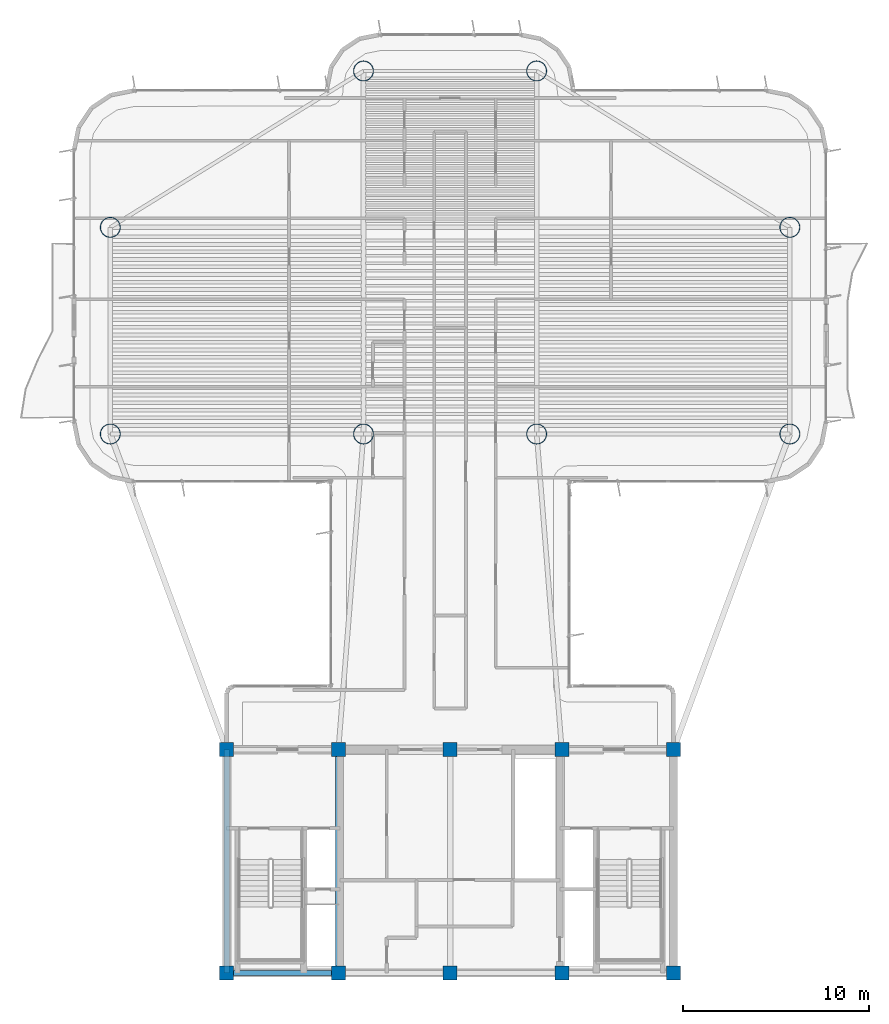
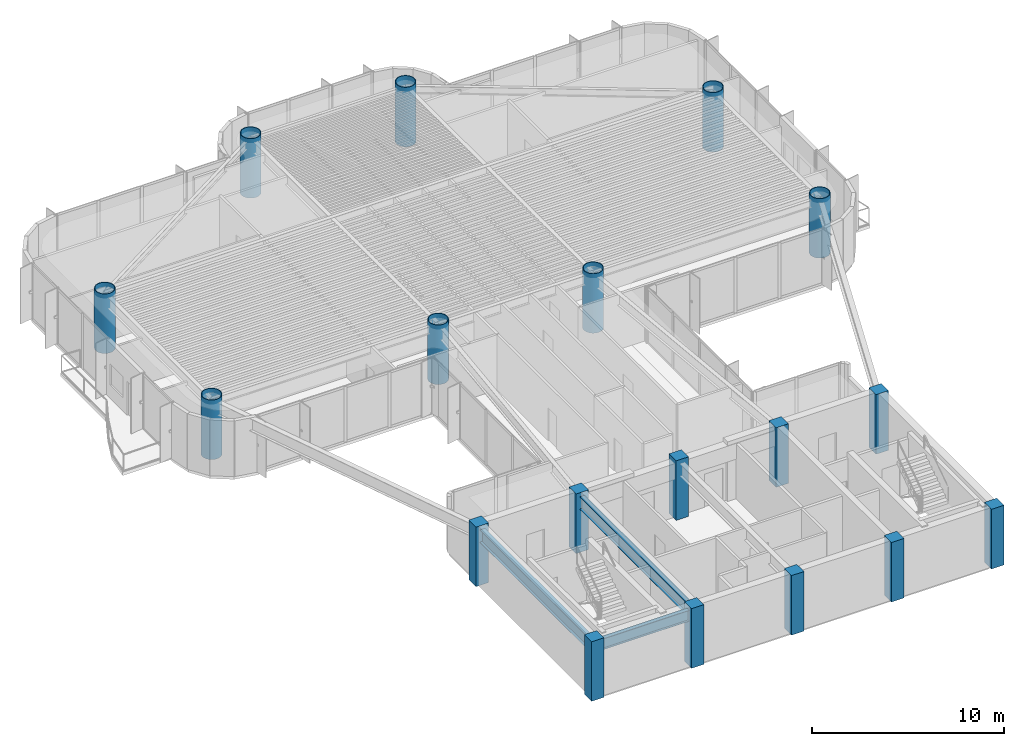
# One storey, part 1 of 14: 18 columns, 3 beams.
"""IFC4 building model written with IfcOpenShell, lengths in metres."""

from ifc_helpers import new_model, si_unit, direction, frame, origin, origin_2d, place, context, subcontext, project, spatial, rectangle, hollow_circle, i_section, extrude, source, transform, mapped, material, material_profile, profile_set, type_object, element, save


model = new_model("IFC4")

# Units and contexts
model_context = context("Model", 3, precision=1e-05, world=origin(), true_north=direction((0.0, 1.0)))
body_context = subcontext(model_context, "Body", "Model", "MODEL_VIEW")
ifc_project = project(units=[si_unit("LENGTHUNIT", "METRE"), si_unit("AREAUNIT", "SQUARE_METRE"), si_unit("VOLUMEUNIT", "CUBIC_METRE"), si_unit("PLANEANGLEUNIT", "RADIAN"), si_unit("MASSUNIT", "GRAM", prefix="KILO")], contexts=[model_context])

# Site, building, storey
site_placement = place(None, origin())
site = spatial("IfcSite", under=ifc_project, at=site_placement, CompositionType="ELEMENT")
building_placement = place(site_placement, origin())
building = spatial("IfcBuilding", under=site, at=building_placement, Name="Brelvock Crest Care Tower", CompositionType="ELEMENT")
storey_placement = place(building_placement, frame((0.0, 0.0, 198.0)))
storey = spatial("IfcBuildingStorey", under=building, at=storey_placement, Name="L50", CompositionType="ELEMENT", Elevation=198.0)

# Columns
ifc_material_1 = material(Name="Concrete S65 (65 MPa)", Category="concrete")
ifc_material_profile_1 = material_profile(ifc_material_1, rectangle(XDim=0.75, YDim=0.75, at=origin_2d()), Name="RC750x750")
ifc_profile_set_1 = profile_set([ifc_material_profile_1], Name="Concrete S65 (65 MPa)")
column_type_1 = type_object("IfcColumnType", Name="COL-RC3", PredefinedType="COLUMN", material=ifc_profile_set_1)
shared_shape_1 = source(origin(), body_context, "Body", "SweptSolid", [
    extrude(rectangle(XDim=0.75, YDim=0.75, at=origin_2d()), origin(), (0.0, 0.0, 1.0), 3.780029296875),
])
for number, where, z_axis, x_axis, name in (
    (1, (24.0, 6.0, 0.0), (0.0, 0.0, 1.0), (1.0, 0.0, 0.0), "L50 Core Column CC-01"),
    (2, (30.0, 6.0, 0.0), (0.0, 0.0, 1.0), (1.0, 0.0, 0.0), "L50 Core Column CC-02"),
    (3, (36.0, 6.0, 0.0), (0.0, 0.0, 1.0), (1.0, 0.0, 0.0), "L50 Core Column CC-03"),
    (4, (42.0, 6.0, 0.0), (0.0, 0.0, 1.0), (1.0, 0.0, 0.0), "L50 Core Column CC-04"),
    (5, (48.0, 6.0, 0.0), (0.0, 0.0, 1.0), (1.0, 0.0, 0.0), "L50 Core Column CC-05"),
    (6, (24.0, 18.0, 0.0), (0.0, 0.0, 1.0), (1.0, 0.0, 0.0), "L50 Core Column CC-06"),
    (7, (30.0, 18.0, 0.0), (0.0, 0.0, 1.0), (1.0, 0.0, 0.0), "L50 Core Column CC-07"),
    (8, (36.0, 18.0, 0.0), (0.0, 0.0, 1.0), (1.0, 0.0, 0.0), "L50 Core Column CC-08"),
    (9, (42.0, 18.0, 0.0), (0.0, 0.0, 1.0), (1.0, 0.0, 0.0), "L50 Core Column CC-09"),
    (10, (48.0, 18.0, 0.0), (0.0, 0.0, 1.0), (1.0, 0.0, 0.0), "L50 Core Column CC-10"),
):
    element("IfcColumn", number, at=place(storey_placement, frame(where, z_axis=z_axis, x_axis=x_axis)), inside=storey, type_object=column_type_1, Name=name, PredefinedType="COLUMN", context=body_context, shape_type="MappedRepresentation", body=[
        mapped(shared_shape_1, transform((0.0, 0.0, 0.0), x_axis=(1.0, 0.0, 0.0), y_axis=(0.0, 1.0, 0.0), z_axis=(0.0, 0.0, 1.0), scale=1.0)),
    ])
ifc_material_2 = material(Name="Steel Grade 350", Category="steel")
ifc_material_profile_2 = material_profile(ifc_material_2, hollow_circle(Radius=0.550048828125, WallThickness=0.0400390625, at=origin_2d()), Name="CFT1100x40")
ifc_profile_set_2 = profile_set([ifc_material_profile_2], Name="Steel Grade 350")
column_type_2 = type_object("IfcColumnType", Name="COL-MC3", PredefinedType="COLUMN", material=ifc_profile_set_2)
shared_shape_2 = source(origin(), body_context, "Body", "SweptSolid", [
    extrude(hollow_circle(Radius=0.550048828125, WallThickness=0.0400390625, at=origin_2d()), origin(), (0.0, 0.0, 1.0), 3.780029296875),
])
for number, where, z_axis, x_axis, name in (
    (11, (17.75, 34.949951171875, 0.0), (0.0, 0.0, 1.0), (1.0, 0.0, 0.0), "L50 Tower Column M1"),
    (12, (17.75, 46.050048828125, 0.0), (0.0, 0.0, 1.0), (1.0, 0.0, 0.0), "L50 Tower Column M2"),
    (13, (54.25, 34.949951171875, 0.0), (0.0, 0.0, 1.0), (1.0, 0.0, 0.0), "L50 Tower Column M3"),
    (14, (54.25, 46.050048828125, 0.0), (0.0, 0.0, 1.0), (1.0, 0.0, 0.0), "L50 Tower Column M4"),
    (15, (31.35009765625, 34.949951171875, 0.0), (0.0, 0.0, 1.0), (1.0, 0.0, 0.0), "L50 Tower Column M5"),
    (16, (40.64990234375, 34.949951171875, 0.0), (0.0, 0.0, 1.0), (1.0, 0.0, 0.0), "L50 Tower Column M6"),
    (17, (31.35009765625, 54.449951171875, 0.0), (0.0, 0.0, 1.0), (1.0, 0.0, 0.0), "L50 Tower Column M7"),
    (18, (40.64990234375, 54.449951171875, 0.0), (0.0, 0.0, 1.0), (1.0, 0.0, 0.0), "L50 Tower Column M8"),
):
    element("IfcColumn", number, at=place(storey_placement, frame(where, z_axis=z_axis, x_axis=x_axis)), inside=storey, type_object=column_type_2, Name=name, PredefinedType="COLUMN", context=body_context, shape_type="MappedRepresentation", body=[
        mapped(shared_shape_2, transform((0.0, 0.0, 0.0), x_axis=(1.0, 0.0, 0.0), y_axis=(0.0, 1.0, 0.0), z_axis=(0.0, 0.0, 1.0), scale=1.0)),
    ])

# Beams
ifc_material_profile_3 = material_profile(ifc_material_2, i_section(OverallWidth=0.25, OverallDepth=0.699951171875, WebThickness=0.011962890625, FlangeThickness=0.02001953125, at=origin_2d()), Name="700WB150")
ifc_profile_set_3 = profile_set([ifc_material_profile_3], Name="Steel Grade 350")
beam_type_1 = type_object("IfcBeamType", Name="BM-G4", PredefinedType="BEAM", material=ifc_profile_set_3)
shared_shape_3 = source(origin(), body_context, "Body", "SweptSolid", [
    extrude(i_section(OverallWidth=0.25, OverallDepth=0.699951171875, WebThickness=0.011962890625, FlangeThickness=0.02001953125, at=origin_2d()), origin(), (0.0, 0.0, 1.0), 6.0),
])
beam_placement = place(storey_placement, frame((24.0, 6.0, 3.179931640625), z_axis=(1.0, 0.0, 0.0), x_axis=(0.0, 1.0, 0.0)))
element("IfcBeam", 19, at=beam_placement, inside=storey, type_object=beam_type_1, Name="BM-CORES-L50-1", PredefinedType="BEAM", context=body_context, shape_type="MappedRepresentation", body=[
    mapped(shared_shape_3, transform((0.0, 0.0, 0.0), x_axis=(1.0, 0.0, 0.0), y_axis=(0.0, 1.0, 0.0), z_axis=(0.0, 0.0, 1.0), scale=1.0)),
])
ifc_material_profile_4 = material_profile(ifc_material_2, i_section(OverallWidth=0.300048828125, OverallDepth=0.800048828125, WebThickness=0.013916015625, FlangeThickness=0.02197265625, at=origin_2d()), Name="800WB192")
ifc_profile_set_4 = profile_set([ifc_material_profile_4], Name="Steel Grade 350")
beam_type_2 = type_object("IfcBeamType", Name="BM-G5", PredefinedType="BEAM", material=ifc_profile_set_4)
shared_shape_4 = source(origin(), body_context, "Body", "SweptSolid", [
    extrude(i_section(OverallWidth=0.300048828125, OverallDepth=0.800048828125, WebThickness=0.013916015625, FlangeThickness=0.02197265625, at=origin_2d()), origin(), (0.0, 0.0, 1.0), 12.0),
])
for number, where, z_axis, x_axis, name in (
    (20, (24.0, 6.0, 3.1298828125), (0.0, 1.0, 0.0), (-1.0, 0.0, 0.0), "BM-COREX-L50-1"),
    (21, (30.0, 6.0, 3.1298828125), (0.0, 1.0, 0.0), (-1.0, 0.0, 0.0), "BM-COREX-L50-2"),
):
    element("IfcBeam", number, at=place(storey_placement, frame(where, z_axis=z_axis, x_axis=x_axis)), inside=storey, type_object=beam_type_2, Name=name, PredefinedType="BEAM", context=body_context, shape_type="MappedRepresentation", body=[
        mapped(shared_shape_4, transform((0.0, 0.0, 0.0), x_axis=(1.0, 0.0, 0.0), y_axis=(0.0, 1.0, 0.0), z_axis=(0.0, 0.0, 1.0), scale=1.0)),
    ])

save(model, "model.ifc")
